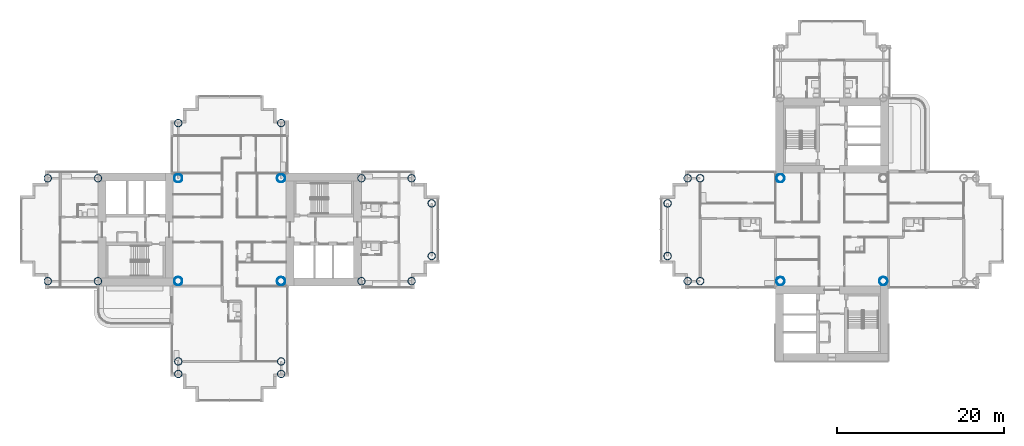
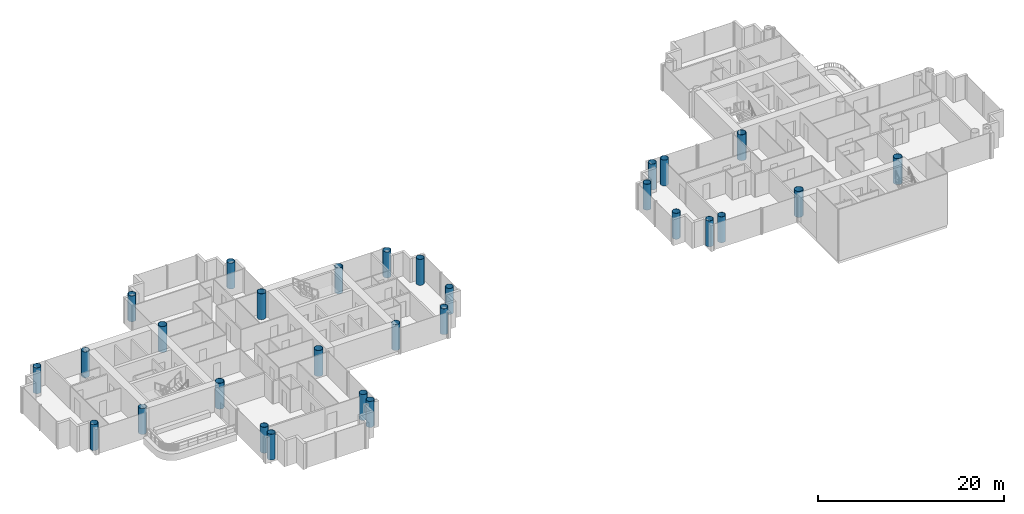
# One storey, part 1 of 21: 29 columns.
"""IFC4 building model written with IfcOpenShell, lengths in metres."""

import ifcopenshell
import ifcopenshell.guid

model = None  # the IFC model being written
_history = None  # IfcOwnerHistory: only IFC2X3 demands one
_inside = {}  # id of a spatial element -> (the spatial element, [elements in it])
_under = {}  # id of a project, library or spatial element -> (it, [spatial elements below it])
_declared = {}  # id of a project -> (the project, [libraries it declares])
_typed = {}  # id of a type object -> (the type object, [elements of that type])
_made_of = {}  # id of a material, layer set ... -> (it, [elements and type objects made of it])


def new_model(schema):
    """Start an empty IFC model of exactly this schema.

    Asked for "IFC4X3", IfcOpenShell would pick the latest addendum, in which some entities
    have other attributes; the version numbers below select the first issue.
    IFC2X3 requires an IfcOwnerHistory on every rooted entity: one is made here for all.
    """
    global model, _history
    if schema == "IFC4X3":
        model = ifcopenshell.file(schema_version=(4, 3, 0, 0))
    else:
        model = ifcopenshell.file(schema=schema)
    _inside.clear()
    _under.clear()
    _declared.clear()
    _typed.clear()
    _made_of.clear()
    _history = None
    if model.schema == "IFC2X3":
        org = make("IfcOrganization", Name="unknown")
        user = make(
            "IfcPersonAndOrganization",
            ThePerson=make("IfcPerson", FamilyName="unknown"),
            TheOrganization=org,
        )
        app = make(
            "IfcApplication",
            ApplicationDeveloper=org,
            Version="unknown",
            ApplicationFullName="unknown",
            ApplicationIdentifier="unknown",
        )
        _history = make(
            "IfcOwnerHistory",
            OwningUser=user,
            OwningApplication=app,
            ChangeAction="ADDED",
            CreationDate=0,
        )
    return model


def make(cls, **values):
    """One entity of the class cls with the attributes given. An attribute that is None is left unset."""
    return model.create_entity(
        cls, **{name: value for name, value in values.items() if value is not None}
    )


def rooted(cls, **values):
    """An entity with a GlobalId (a new one), such as an element, a storey or a relation."""
    return make(cls, GlobalId=ifcopenshell.guid.new(), OwnerHistory=_history, **values)


def si_unit(unit_type, name, prefix=None):
    """IfcSIUnit, for example si_unit("LENGTHUNIT", "METRE", prefix="MILLI")."""
    return make("IfcSIUnit", UnitType=unit_type, Prefix=prefix, Name=name)


def assignment(units):
    """IfcUnitAssignment: the units of a project."""
    return None if units is None else make("IfcUnitAssignment", Units=units)


def point(xyz):
    """IfcCartesianPoint."""
    return None if xyz is None else make("IfcCartesianPoint", Coordinates=xyz)


def direction(xyz):
    """IfcDirection."""
    return None if xyz is None else make("IfcDirection", DirectionRatios=xyz)


def frame(location, z_axis=None, x_axis=None):
    """IfcAxis2Placement3D, a coordinate frame: its origin and axes. An axis left out is left unset."""
    return make(
        "IfcAxis2Placement3D",
        Location=point(location),
        Axis=direction(z_axis),
        RefDirection=direction(x_axis),
    )


def frame_2d(location, x_axis=None):
    """IfcAxis2Placement2D, a coordinate frame in the plane: its origin and x axis."""
    return make(
        "IfcAxis2Placement2D", Location=point(location), RefDirection=direction(x_axis)
    )


def origin():
    """The frame at (0, 0, 0) with its axes left unset."""
    return frame((0.0, 0.0, 0.0))


def origin_2d():
    """The frame at (0, 0) in the plane with its x axis left unset."""
    return frame_2d((0.0, 0.0))


def place(relative_to, where):
    """IfcLocalPlacement: puts the frame where relative to a parent placement (None: the world)."""
    return make(
        "IfcLocalPlacement", PlacementRelTo=relative_to, RelativePlacement=where
    )


def context(
    kind, dimensions, precision=None, world=None, true_north=None, identifier=None
):
    """IfcGeometricRepresentationContext, for example the 3D "Model" context."""
    return make(
        "IfcGeometricRepresentationContext",
        ContextIdentifier=identifier,
        ContextType=kind,
        CoordinateSpaceDimension=dimensions,
        Precision=precision,
        WorldCoordinateSystem=world,
        TrueNorth=true_north,
    )


def subcontext(parent, identifier, kind, view, scale=None):
    """IfcGeometricRepresentationSubContext, for example "Body" below "Model"."""
    return make(
        "IfcGeometricRepresentationSubContext",
        ContextIdentifier=identifier,
        ContextType=kind,
        ParentContext=parent,
        TargetScale=scale,
        TargetView=view,
    )


def project(units=None, contexts=None):
    """IfcProject with its units and contexts."""
    return rooted(
        "IfcProject",
        Name="project",
        RepresentationContexts=contexts,
        UnitsInContext=assignment(units),
    )


def spatial(cls, under=None, at=None, **own):
    """A site, building, storey or space (cls), placed at a placement, below another one or the project."""
    s = rooted(cls, ObjectPlacement=at, **own)
    if under is not None:
        _under.setdefault(under.id(), (under, []))[1].append(s)
    return s


def profile(cls, at=None, kind="AREA", **sizes):
    """A parametric profile (cls). Its sizes go by their IFC names, for example OverallWidth=200.0."""
    return make(cls, ProfileType=kind, Position=at, **sizes)


def hollow_circle(**sizes):
    """IfcCircleHollowProfileDef."""
    return profile("IfcCircleHollowProfileDef", **sizes)


def extrude(swept, where, along, depth):
    """IfcExtrudedAreaSolid: the profile swept, set in the frame where, extruded along a direction by depth."""
    return make(
        "IfcExtrudedAreaSolid",
        SweptArea=swept,
        Position=where,
        ExtrudedDirection=direction(along),
        Depth=depth,
    )


def shape(context_of_items, identifier, shape_type, items):
    """IfcShapeRepresentation: the items that make up one representation, for example the "Body"."""
    return make(
        "IfcShapeRepresentation",
        ContextOfItems=context_of_items,
        RepresentationIdentifier=identifier,
        RepresentationType=shape_type,
        Items=items,
    )


def material(Name=None, Category=None):
    """IfcMaterial."""
    return make("IfcMaterial", Name=Name, Category=Category)


def material_profile(
    of_material, cross_section, Name=None, Category=None, Priority=None
):
    """IfcMaterialProfile: a cross section and its material."""
    return make(
        "IfcMaterialProfile",
        Name=Name,
        Material=of_material,
        Profile=cross_section,
        Priority=Priority,
        Category=Category,
    )


def profile_set(profiles, Name=None, composite=None):
    """IfcMaterialProfileSet."""
    return make(
        "IfcMaterialProfileSet",
        Name=Name,
        MaterialProfiles=profiles,
        CompositeProfile=composite,
    )


def made_of(thing, what):
    """Note that an element or type object is made of a material, layer set ...; save() writes the relation."""
    if what is not None:
        _made_of.setdefault(what.id(), (what, []))[1].append(thing)
    return thing


def type_object(cls, material=None, **own):
    """A type object (cls), such as IfcWallType, which elements share."""
    return made_of(rooted(cls, **own), material)


def element(
    cls,
    number,
    at=None,
    inside=None,
    cuts=None,
    type_object=None,
    material=None,
    context=None,
    identifier="Body",
    shape_type=None,
    held_by="IfcProductDefinitionShape",
    body=None,
    shapes=None,
    **own,
):
    """One element of the class cls, such as IfcWall. Its Tag is "e" and its number.

    at: its placement. inside: the storey or other place that contains it. cuts: it is an
    opening in that element (IfcRelVoidsElement). A single representation is given by context,
    identifier, shape_type and body (its items); several are given by shapes. held_by: the class
    of the entity that holds the representations. save() writes the other relations.
    """
    e = rooted(cls, Tag="e%d" % number, ObjectPlacement=at, **own)
    if body is not None:
        shapes = [shape(context, identifier, shape_type, body)]
    if shapes is not None:
        e.Representation = make(held_by, Representations=shapes)
    if inside is not None:
        _inside.setdefault(inside.id(), (inside, []))[1].append(e)
    if cuts is not None:
        rooted(
            "IfcRelVoidsElement", RelatingBuildingElement=cuts, RelatedOpeningElement=e
        )
    if type_object is not None:
        _typed.setdefault(type_object.id(), (type_object, []))[1].append(e)
    return made_of(e, material)


def aggregate(whole, parts):
    """IfcRelAggregates: a whole, such as a stair, and the parts it consists of."""
    return rooted("IfcRelAggregates", RelatingObject=whole, RelatedObjects=parts)


def save(model, path):
    """Write the relations noted so far, then the file.

    IfcRelAggregates (storeys below a building ...), IfcRelContainedInSpatialStructure (elements
    in a storey), IfcRelDefinesByType, IfcRelAssociatesMaterial and IfcRelDeclares: one each for
    every whole, place, type object, material and project.
    """
    for whole, parts in _under.values():
        aggregate(whole, parts)
    for where, things in _inside.values():
        rooted(
            "IfcRelContainedInSpatialStructure",
            RelatedElements=things,
            RelatingStructure=where,
        )
    for kind, things in _typed.values():
        rooted("IfcRelDefinesByType", RelatedObjects=things, RelatingType=kind)
    for what, things in _made_of.values():
        rooted("IfcRelAssociatesMaterial", RelatedObjects=things, RelatingMaterial=what)
    for by, libraries in _declared.values():
        rooted("IfcRelDeclares", RelatingContext=by, RelatedDefinitions=libraries)
    model.write(path)


model = new_model("IFC4")

# Units and contexts
model_context = context("Model", 3, precision=1e-05, world=origin(), true_north=direction((0.0, 1.0)))
body_context = subcontext(model_context, "Body", "Model", "MODEL_VIEW")
ifc_project = project(units=[si_unit("LENGTHUNIT", "METRE"), si_unit("AREAUNIT", "SQUARE_METRE"), si_unit("VOLUMEUNIT", "CUBIC_METRE"), si_unit("PLANEANGLEUNIT", "RADIAN"), si_unit("MASSUNIT", "GRAM", prefix="KILO")], contexts=[model_context])

# Site, building, storey
site_placement = place(None, origin())
site = spatial("IfcSite", under=ifc_project, at=site_placement, CompositionType="ELEMENT")
building_placement = place(site_placement, origin())
building = spatial("IfcBuilding", under=site, at=building_placement, Name="Ipe Terrace Towers", CompositionType="ELEMENT")
storey_placement = place(building_placement, frame((0.0, 0.0, 97.0)))
storey = spatial("IfcBuildingStorey", under=building, at=storey_placement, Name="L26", CompositionType="ELEMENT", Elevation=97.0)

# Columns
ifc_material_1 = material(Name="Steel S355 tube with Concrete C60/75 fill", Category="concrete")
ifc_material_profile_1 = material_profile(ifc_material_1, hollow_circle(Radius=0.5, WallThickness=0.035888671875, at=origin_2d()), Name="CHS-1000x36")
ifc_profile_set_1 = profile_set([ifc_material_profile_1], Name="Steel S355 tube with Concrete C60/75 fill")
column_type_1 = type_object("IfcColumnType", Name="CH01 COLUMN CHS-1000x36", PredefinedType="COLUMN", material=ifc_profile_set_1)
for number, where, z_axis, x_axis, name in (
    (1, (-42.14990234375, -6.14990234375, 0.0), (0.0, 0.0, 1.0), (1.0, 0.0, 0.0), "Column T1-C-E01"),
    (2, (-29.85009765625, -6.14990234375, 0.0), (0.0, 0.0, 1.0), (1.0, 0.0, 0.0), "Column T1-C-E02"),
    (3, (-29.85009765625, 6.14990234375, 0.0), (0.0, 0.0, 1.0), (1.0, 0.0, 0.0), "Column T1-C-E03"),
    (4, (-42.14990234375, 6.14990234375, 0.0), (0.0, 0.0, 1.0), (1.0, 0.0, 0.0), "Column T1-C-E04"),
    (5, (42.14990234375, -6.14990234375, 0.0), (0.0, 0.0, 1.0), (1.0, 0.0, 0.0), "Column T2-C-E01"),
    (6, (29.85009765625, 6.14990234375, 0.0), (0.0, 0.0, 1.0), (1.0, 0.0, 0.0), "Column T2-C-E03"),
    (7, (29.85009765625, -6.14990234375, 0.0), (0.0, 0.0, 1.0), (1.0, 0.0, 0.0), "Column T2-C-E04"),
):
    element("IfcColumn", number, at=place(storey_placement, frame(where, z_axis=z_axis, x_axis=x_axis)), inside=storey, type_object=column_type_1, Name=name, PredefinedType="COLUMN", context=body_context, shape_type="SweptSolid", body=[
        extrude(hollow_circle(Radius=0.5, WallThickness=0.035888671875, at=origin_2d()), origin(), (0.0, 0.0, 1.0), 3.39990234375),
    ])
ifc_material_2 = material(Name="Steel S355 tube with Concrete C60/75 fill", Category="concrete")
ifc_material_profile_2 = material_profile(ifc_material_2, hollow_circle(Radius=0.449951171875, WallThickness=0.031982421875, at=origin_2d()), Name="CHS-900x32")
ifc_profile_set_2 = profile_set([ifc_material_profile_2], Name="Steel S355 tube with Concrete C60/75 fill")
column_type_2 = type_object("IfcColumnType", Name="CH10 COLUMN CHS-900x32", PredefinedType="COLUMN", material=ifc_profile_set_2)
for number, where, z_axis, x_axis, name in (
    (8, (-20.25, -6.14990234375, 0.0), (0.0, 0.0, 1.0), (1.0, 0.0, 0.0), "Column T1-C-A01"),
    (9, (-20.25, 6.14990234375, 0.0), (0.0, 0.0, 1.0), (1.0, 0.0, 0.0), "Column T1-C-A02"),
    (10, (-14.25, -6.14990234375, 0.0), (0.0, 0.0, 1.0), (1.0, 0.0, 0.0), "Column T1-C-A03"),
    (11, (-14.25, 6.14990234375, 0.0), (0.0, 0.0, 1.0), (1.0, 0.0, 0.0), "Column T1-C-A04"),
    (12, (-11.85009765625, -3.14990234375, 0.0), (0.0, 0.0, 1.0), (1.0, 0.0, 0.0), "Column T1-C-A05"),
    (13, (-11.85009765625, 3.14990234375, 0.0), (0.0, 0.0, 1.0), (1.0, 0.0, 0.0), "Column T1-C-A06"),
    (14, (-29.85009765625, 12.75, 0.0), (0.0, 0.0, 1.0), (1.0, 0.0, 0.0), "Column T1-C-B01"),
    (15, (-42.14990234375, 12.75, 0.0), (0.0, 0.0, 1.0), (1.0, 0.0, 0.0), "Column T1-C-B02"),
    (16, (-51.75, -6.14990234375, 0.0), (0.0, 0.0, 1.0), (1.0, 0.0, 0.0), "Column T1-C-C01"),
    (17, (-51.75, 6.14990234375, 0.0), (0.0, 0.0, 1.0), (1.0, 0.0, 0.0), "Column T1-C-C02"),
    (18, (-57.75, -6.14990234375, 0.0), (0.0, 0.0, 1.0), (1.0, 0.0, 0.0), "Column T1-C-C03"),
    (19, (-57.75, 6.14990234375, 0.0), (0.0, 0.0, 1.0), (1.0, 0.0, 0.0), "Column T1-C-C04"),
    (20, (-42.14990234375, -15.75, 0.0), (0.0, 0.0, 1.0), (1.0, 0.0, 0.0), "Column T1-C-D03"),
    (21, (-29.85009765625, -15.75, 0.0), (0.0, 0.0, 1.0), (1.0, 0.0, 0.0), "Column T1-C-D04"),
    (22, (-42.14990234375, -17.25, 0.0), (0.0, 0.0, 1.0), (1.0, 0.0, 0.0), "Column T1-C-D05"),
    (23, (-29.85009765625, -17.25, 0.0), (0.0, 0.0, 1.0), (1.0, 0.0, 0.0), "Column T1-C-D06"),
    (24, (20.25, 6.14990234375, 0.0), (0.0, 0.0, 1.0), (1.0, 0.0, 0.0), "Column T2-C-B03"),
    (25, (20.25, -6.14990234375, 0.0), (0.0, 0.0, 1.0), (1.0, 0.0, 0.0), "Column T2-C-B04"),
    (26, (18.75, 6.14990234375, 0.0), (0.0, 0.0, 1.0), (1.0, 0.0, 0.0), "Column T2-C-B05"),
    (27, (18.75, -6.14990234375, 0.0), (0.0, 0.0, 1.0), (1.0, 0.0, 0.0), "Column T2-C-B06"),
    (28, (16.35009765625, 3.14990234375, 0.0), (0.0, 0.0, 1.0), (1.0, 0.0, 0.0), "Column T2-C-B07"),
    (29, (16.35009765625, -3.14990234375, 0.0), (0.0, 0.0, 1.0), (1.0, 0.0, 0.0), "Column T2-C-B08"),
):
    element("IfcColumn", number, at=place(storey_placement, frame(where, z_axis=z_axis, x_axis=x_axis)), inside=storey, type_object=column_type_2, Name=name, PredefinedType="COLUMN", context=body_context, shape_type="SweptSolid", body=[
        extrude(hollow_circle(Radius=0.449951171875, WallThickness=0.031982421875, at=origin_2d()), origin(), (0.0, 0.0, 1.0), 3.39990234375),
    ])

save(model, "model.ifc")
